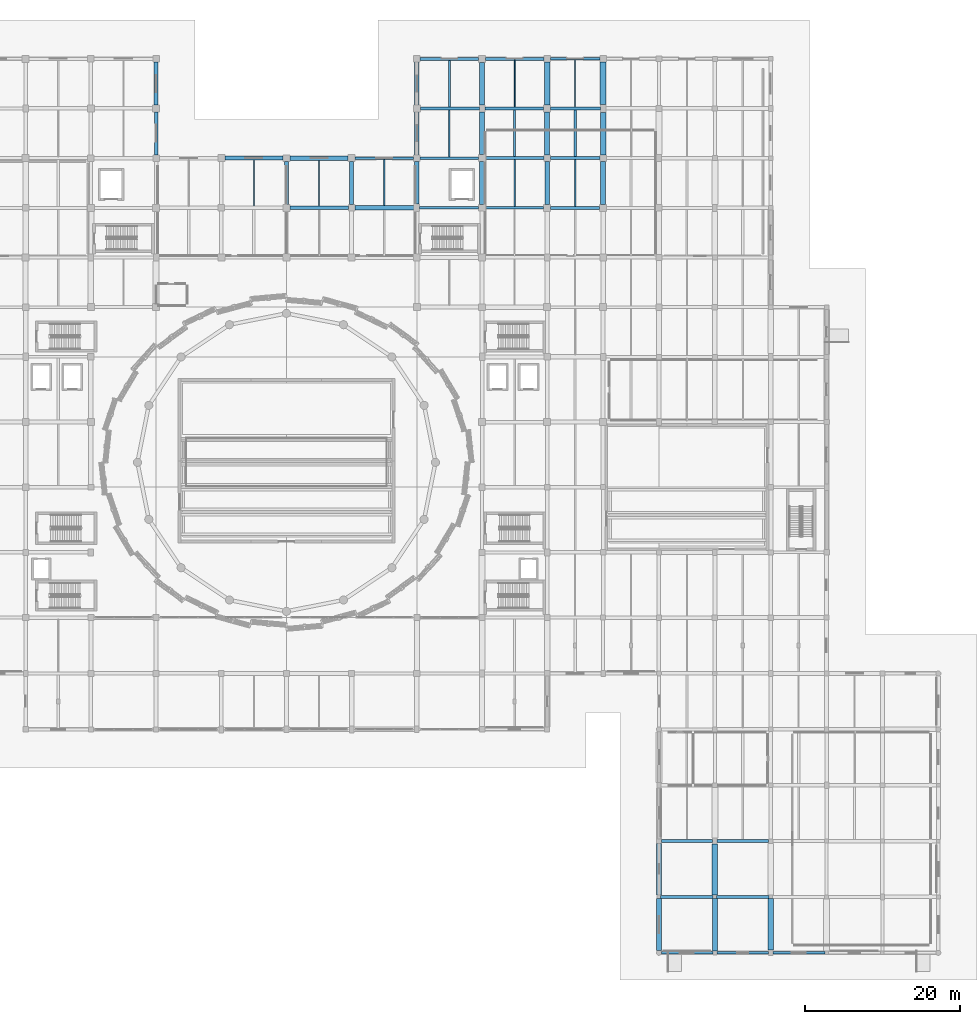
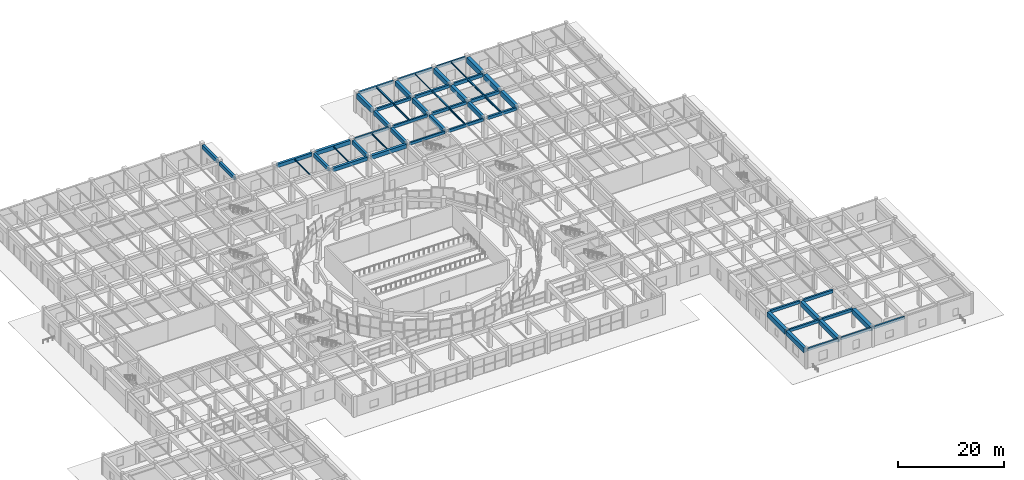
# One storey, part 35 of 72: 56 beams.
"""IFC4 building model written with IfcOpenShell, lengths in metres."""

from ifc_helpers import new_model, si_unit, direction, frame, origin, origin_2d, place, context, subcontext, project, spatial, rectangle, i_section, extrude, material, material_profile, profile_set, type_object, element, save


model = new_model("IFC4")

# Units and contexts
model_context = context("Model", 3, precision=1e-05, world=origin(), true_north=direction((0.0, 1.0)))
body_context = subcontext(model_context, "Body", "Model", "MODEL_VIEW")
ifc_project = project(units=[si_unit("LENGTHUNIT", "METRE"), si_unit("AREAUNIT", "SQUARE_METRE"), si_unit("VOLUMEUNIT", "CUBIC_METRE"), si_unit("PLANEANGLEUNIT", "RADIAN"), si_unit("MASSUNIT", "GRAM", prefix="KILO")], contexts=[model_context])

# Site, building, storey
site_placement = place(None, origin())
site = spatial("IfcSite", under=ifc_project, at=site_placement, CompositionType="ELEMENT")
building_placement = place(site_placement, origin())
building = spatial("IfcBuilding", under=site, at=building_placement, Name="Korsvaeld Concert Hall", CompositionType="ELEMENT")
storey_placement = place(building_placement, origin())
storey = spatial("IfcBuildingStorey", under=building, at=storey_placement, Name="L00", CompositionType="ELEMENT", Elevation=0.0)

# Beams
ifc_material_1 = material(Name="Concrete C35/45", Category="concrete")
ifc_material_profile_1 = material_profile(ifc_material_1, rectangle(XDim=0.35009765625, YDim=0.60009765625, at=origin_2d()), Name="RC 350x600")
ifc_profile_set_1 = profile_set([ifc_material_profile_1], Name="Concrete C35/45")
beam_type_1 = type_object("IfcBeamType", Name="BM-RC-350x600", PredefinedType="T_BEAM", material=ifc_profile_set_1)
beam_1_placement = place(storey_placement, frame((101.14990234375, 96.0, 4.139892578125), z_axis=(1.0, 0.0, 0.0), x_axis=(0.0, 1.0, 0.0)))
element("IfcBeam", 1, at=beam_1_placement, inside=storey, type_object=beam_type_1, Name="Primary girder 14-15/P L00", PredefinedType="T_BEAM", context=body_context, shape_type="SweptSolid", body=[
    extrude(rectangle(XDim=0.35009765625, YDim=0.60009765625, at=origin_2d()), origin(), (0.0, 0.0, 1.0), 7.625),
])
beam_2_placement = place(storey_placement, frame((92.85009765625, 102.39990234375, 4.139892578125), z_axis=(1.0, 0.0, 0.0), x_axis=(0.0, 1.0, 0.0)))
element("IfcBeam", 2, at=beam_2_placement, inside=storey, type_object=beam_type_1, Name="Primary girder 13-14/Q L00", PredefinedType="T_BEAM", context=body_context, shape_type="SweptSolid", body=[
    extrude(rectangle(XDim=0.35009765625, YDim=0.60009765625, at=origin_2d()), origin(), (0.0, 0.0, 1.0), 7.52490234375),
])
ifc_material_profile_2 = material_profile(ifc_material_1, rectangle(XDim=0.35009765625, YDim=0.64990234375, at=origin_2d()), Name="RC 350x650")
ifc_profile_set_2 = profile_set([ifc_material_profile_2], Name="Concrete C35/45")
beam_type_2 = type_object("IfcBeamType", Name="BM-RC-350x650", PredefinedType="T_BEAM", material=ifc_profile_set_2)
beam_3_placement = place(storey_placement, frame((132.22509765625, 7.199951171875, 4.114990234375), z_axis=(1.0, 0.0, 0.0), x_axis=(0.0, 1.0, 0.0)))
element("IfcBeam", 3, at=beam_3_placement, inside=storey, type_object=beam_type_2, Name="Primary girder 18-19/B L00", PredefinedType="T_BEAM", context=body_context, shape_type="SweptSolid", body=[
    extrude(rectangle(XDim=0.35009765625, YDim=0.64990234375, at=origin_2d()), origin(), (0.0, 0.0, 1.0), 6.75),
])
for number, where, z_axis, x_axis, name in (
    (4, (109.625, 96.0, 4.114990234375), (1.0, 0.0, 0.0), (0.0, 1.0, 0.0), "Primary girder 15-16/P L00"),
    (5, (101.22509765625, 102.39990234375, 4.114990234375), (1.0, 0.0, 0.0), (0.0, 1.0, 0.0), "Primary girder 14-15/Q L00"),
):
    element("IfcBeam", number, at=place(storey_placement, frame(where, z_axis=z_axis, x_axis=x_axis)), inside=storey, type_object=beam_type_2, Name=name, PredefinedType="T_BEAM", context=body_context, shape_type="SweptSolid", body=[
        extrude(rectangle(XDim=0.35009765625, YDim=0.64990234375, at=origin_2d()), origin(), (0.0, 0.0, 1.0), 7.52490234375),
    ])
ifc_material_profile_3 = material_profile(ifc_material_1, rectangle(XDim=0.39990234375, YDim=0.64990234375, at=origin_2d()), Name="RC 400x650")
ifc_profile_set_3 = profile_set([ifc_material_profile_3], Name="Concrete C35/45")
beam_type_3 = type_object("IfcBeamType", Name="BM-RC-400x650", PredefinedType="T_BEAM", material=ifc_profile_set_3)
beam_4_placement = place(storey_placement, frame((139.425048828125, 7.199951171875, 4.114990234375), z_axis=(1.0, 0.0, 0.0), x_axis=(0.0, 1.0, 0.0)))
element("IfcBeam", 6, at=beam_4_placement, inside=storey, type_object=beam_type_3, Name="Primary girder 19-20/B L00", PredefinedType="T_BEAM", context=body_context, shape_type="SweptSolid", body=[
    extrude(rectangle(XDim=0.39990234375, YDim=0.64990234375, at=origin_2d()), origin(), (0.0, 0.0, 1.0), 6.75),
])
beam_5_placement = place(storey_placement, frame((132.300048828125, 14.39990234375, 4.114990234375), z_axis=(1.0, 0.0, 0.0), x_axis=(0.0, 1.0, 0.0)))
element("IfcBeam", 7, at=beam_5_placement, inside=storey, type_object=beam_type_3, Name="Primary girder 18-19/C L00", PredefinedType="T_BEAM", context=body_context, shape_type="SweptSolid", body=[
    extrude(rectangle(XDim=0.39990234375, YDim=0.64990234375, at=origin_2d()), origin(), (0.0, 0.0, 1.0), 6.599853515625),
])
beam_6_placement = place(storey_placement, frame((118.050048828125, 96.0, 4.114990234375), z_axis=(1.0, 0.0, 0.0), x_axis=(0.0, 1.0, 0.0)))
element("IfcBeam", 8, at=beam_6_placement, inside=storey, type_object=beam_type_3, Name="Primary girder 16-17/P L00", PredefinedType="T_BEAM", context=body_context, shape_type="SweptSolid", body=[
    extrude(rectangle(XDim=0.39990234375, YDim=0.64990234375, at=origin_2d()), origin(), (0.0, 0.0, 1.0), 6.300048828125),
])
beam_7_placement = place(storey_placement, frame((109.64990234375, 102.39990234375, 4.114990234375), z_axis=(1.0, 0.0, 0.0), x_axis=(0.0, 1.0, 0.0)))
element("IfcBeam", 9, at=beam_7_placement, inside=storey, type_object=beam_type_3, Name="Primary girder 15-16/Q L00", PredefinedType="T_BEAM", context=body_context, shape_type="SweptSolid", body=[
    extrude(rectangle(XDim=0.39990234375, YDim=0.64990234375, at=origin_2d()), origin(), (0.0, 0.0, 1.0), 7.525146484375),
])
beam_8_placement = place(storey_placement, frame((101.25, 108.800048828125, 4.114990234375), z_axis=(1.0, 0.0, 0.0), x_axis=(0.0, 1.0, 0.0)))
element("IfcBeam", 10, at=beam_8_placement, inside=storey, type_object=beam_type_3, Name="Primary girder 14-15/R L00", PredefinedType="T_BEAM", context=body_context, shape_type="SweptSolid", body=[
    extrude(rectangle(XDim=0.39990234375, YDim=0.64990234375, at=origin_2d()), origin(), (0.0, 0.0, 1.0), 7.60009765625),
])
ifc_material_profile_4 = material_profile(ifc_material_1, rectangle(XDim=0.39990234375, YDim=0.699951171875, at=origin_2d()), Name="RC 400x700")
ifc_profile_set_4 = profile_set([ifc_material_profile_4], Name="Concrete C35/45")
beam_type_4 = type_object("IfcBeamType", Name="BM-RC-400x700", PredefinedType="T_BEAM", material=ifc_profile_set_4)
beam_9_placement = place(storey_placement, frame((139.5, 14.39990234375, 4.090087890625), z_axis=(1.0, 0.0, 0.0), x_axis=(0.0, 1.0, 0.0)))
element("IfcBeam", 11, at=beam_9_placement, inside=storey, type_object=beam_type_4, Name="Primary girder 19-20/C L00", PredefinedType="T_BEAM", context=body_context, shape_type="SweptSolid", body=[
    extrude(rectangle(XDim=0.39990234375, YDim=0.699951171875, at=origin_2d()), origin(), (0.0, 0.0, 1.0), 6.60009765625),
])
beam_10_placement = place(storey_placement, frame((118.02490234375, 102.39990234375, 4.090087890625), z_axis=(1.0, 0.0, 0.0), x_axis=(0.0, 1.0, 0.0)))
element("IfcBeam", 12, at=beam_10_placement, inside=storey, type_object=beam_type_4, Name="Primary girder 16-17/Q L00", PredefinedType="T_BEAM", context=body_context, shape_type="SweptSolid", body=[
    extrude(rectangle(XDim=0.39990234375, YDim=0.699951171875, at=origin_2d()), origin(), (0.0, 0.0, 1.0), 6.35009765625),
])
beam_11_placement = place(storey_placement, frame((109.550048828125, 108.800048828125, 4.090087890625), z_axis=(1.0, 0.0, 0.0), x_axis=(0.0, 1.0, 0.0)))
element("IfcBeam", 13, at=beam_11_placement, inside=storey, type_object=beam_type_4, Name="Primary girder 15-16/R L00", PredefinedType="T_BEAM", context=body_context, shape_type="SweptSolid", body=[
    extrude(rectangle(XDim=0.39990234375, YDim=0.699951171875, at=origin_2d()), origin(), (0.0, 0.0, 1.0), 7.599853515625),
])
ifc_material_profile_5 = material_profile(ifc_material_1, rectangle(XDim=0.39990234375, YDim=0.75, at=origin_2d()), Name="RC 400x750")
ifc_profile_set_5 = profile_set([ifc_material_profile_5], Name="Concrete C35/45")
beam_type_5 = type_object("IfcBeamType", Name="BM-RC-400x750", PredefinedType="T_BEAM", material=ifc_profile_set_5)
beam_12_placement = place(storey_placement, frame((118.050048828125, 108.800048828125, 4.06494140625), z_axis=(1.0, 0.0, 0.0), x_axis=(0.0, 1.0, 0.0)))
element("IfcBeam", 14, at=beam_12_placement, inside=storey, type_object=beam_type_5, Name="Primary girder 16-17/R L00", PredefinedType="T_BEAM", context=body_context, shape_type="SweptSolid", body=[
    extrude(rectangle(XDim=0.39990234375, YDim=0.75, at=origin_2d()), origin(), (0.0, 0.0, 1.0), 6.39990234375),
])
ifc_material_2 = material(Name="Concrete C40/50", Category="concrete")
ifc_material_profile_6 = material_profile(ifc_material_2, rectangle(XDim=0.449951171875, YDim=0.85009765625, at=origin_2d()), Name="RC 450x850")
ifc_profile_set_6 = profile_set([ifc_material_profile_6], Name="Concrete C40/50")
beam_type_6 = type_object("IfcBeamType", Name="BM-RC-450x850", PredefinedType="T_BEAM", material=ifc_profile_set_6)
beam_13_placement = place(storey_placement, frame((67.199951171875, 102.824951171875, 4.014892578125), z_axis=(0.0, 1.0, 0.0), x_axis=(-1.0, 0.0, 0.0)))
element("IfcBeam", 15, at=beam_13_placement, inside=storey, type_object=beam_type_6, Name="Primary girder 10/Q-R L00", PredefinedType="T_BEAM", context=body_context, shape_type="SweptSolid", body=[
    extrude(rectangle(XDim=0.449951171875, YDim=0.85009765625, at=origin_2d()), origin(), (0.0, 0.0, 1.0), 5.525146484375),
])
ifc_material_profile_7 = material_profile(ifc_material_2, rectangle(XDim=0.5, YDim=0.800048828125, at=origin_2d()), Name="RC 500x800")
ifc_profile_set_7 = profile_set([ifc_material_profile_7], Name="Concrete C40/50")
beam_type_7 = type_object("IfcBeamType", Name="BM-RC-500x800", PredefinedType="T_BEAM", material=ifc_profile_set_7)
beam_14_placement = place(storey_placement, frame((84.449951171875, 96.0, 4.0400390625), z_axis=(1.0, 0.0, 0.0), x_axis=(0.0, 1.0, 0.0)))
element("IfcBeam", 16, at=beam_14_placement, inside=storey, type_object=beam_type_7, Name="Primary girder 12-13/P L00", PredefinedType="T_BEAM", context=body_context, shape_type="SweptSolid", body=[
    extrude(rectangle(XDim=0.5, YDim=0.800048828125, at=origin_2d()), origin(), (0.0, 0.0, 1.0), 7.525146484375),
])
beam_15_placement = place(storey_placement, frame((76.050048828125, 102.39990234375, 4.0400390625), z_axis=(1.0, 0.0, 0.0), x_axis=(0.0, 1.0, 0.0)))
element("IfcBeam", 17, at=beam_15_placement, inside=storey, type_object=beam_type_7, Name="Primary girder 11-12/Q L00", PredefinedType="T_BEAM", context=body_context, shape_type="SweptSolid", body=[
    extrude(rectangle(XDim=0.5, YDim=0.800048828125, at=origin_2d()), origin(), (0.0, 0.0, 1.0), 7.52490234375),
])
ifc_material_profile_8 = material_profile(ifc_material_2, rectangle(XDim=0.5, YDim=0.85009765625, at=origin_2d()), Name="RC 500x850")
ifc_profile_set_8 = profile_set([ifc_material_profile_8], Name="Concrete C40/50")
beam_type_8 = type_object("IfcBeamType", Name="BM-RC-500x850", PredefinedType="T_BEAM", material=ifc_profile_set_8)
beam_16_placement = place(storey_placement, frame((67.199951171875, 109.25, 4.014892578125), z_axis=(0.0, 1.0, 0.0), x_axis=(-1.0, 0.0, 0.0)))
element("IfcBeam", 18, at=beam_16_placement, inside=storey, type_object=beam_type_8, Name="Primary girder 10/R-S L00", PredefinedType="T_BEAM", context=body_context, shape_type="SweptSolid", body=[
    extrude(rectangle(XDim=0.5, YDim=0.85009765625, at=origin_2d()), origin(), (0.0, 0.0, 1.0), 5.52490234375),
])
beam_17_placement = place(storey_placement, frame((84.0, 96.449951171875, 4.014892578125), z_axis=(0.0, 1.0, 0.0), x_axis=(-1.0, 0.0, 0.0)))
element("IfcBeam", 19, at=beam_17_placement, inside=storey, type_object=beam_type_8, Name="Primary girder 12/P-Q L00", PredefinedType="T_BEAM", context=body_context, shape_type="SweptSolid", body=[
    extrude(rectangle(XDim=0.5, YDim=0.85009765625, at=origin_2d()), origin(), (0.0, 0.0, 1.0), 5.525146484375),
])
ifc_material_profile_9 = material_profile(ifc_material_2, rectangle(XDim=0.5, YDim=0.89990234375, at=origin_2d()), Name="RC 500x900")
ifc_profile_set_9 = profile_set([ifc_material_profile_9], Name="Concrete C40/50")
beam_type_9 = type_object("IfcBeamType", Name="BM-RC-500x900", PredefinedType="T_BEAM", material=ifc_profile_set_9)
beam_18_placement = place(storey_placement, frame((92.39990234375, 96.425048828125, 3.989990234375), z_axis=(0.0, 1.0, 0.0), x_axis=(-1.0, 0.0, 0.0)))
element("IfcBeam", 20, at=beam_18_placement, inside=storey, type_object=beam_type_9, Name="Primary girder 13/P-Q L00", PredefinedType="T_BEAM", context=body_context, shape_type="SweptSolid", body=[
    extrude(rectangle(XDim=0.5, YDim=0.89990234375, at=origin_2d()), origin(), (0.0, 0.0, 1.0), 5.52490234375),
])
ifc_material_profile_10 = material_profile(ifc_material_2, rectangle(XDim=0.550048828125, YDim=0.89990234375, at=origin_2d()), Name="RC 550x900")
ifc_profile_set_10 = profile_set([ifc_material_profile_10], Name="Concrete C40/50")
beam_type_10 = type_object("IfcBeamType", Name="BM-RC-550x900", PredefinedType="T_BEAM", material=ifc_profile_set_10)
beam_19_placement = place(storey_placement, frame((92.824951171875, 96.0, 3.989990234375), z_axis=(1.0, 0.0, 0.0), x_axis=(0.0, 1.0, 0.0)))
element("IfcBeam", 21, at=beam_19_placement, inside=storey, type_object=beam_type_10, Name="Primary girder 13-14/P L00", PredefinedType="T_BEAM", context=body_context, shape_type="SweptSolid", body=[
    extrude(rectangle(XDim=0.550048828125, YDim=0.89990234375, at=origin_2d()), origin(), (0.0, 0.0, 1.0), 7.625),
])
beam_20_placement = place(storey_placement, frame((84.425048828125, 102.39990234375, 3.989990234375), z_axis=(1.0, 0.0, 0.0), x_axis=(0.0, 1.0, 0.0)))
element("IfcBeam", 22, at=beam_20_placement, inside=storey, type_object=beam_type_10, Name="Primary girder 12-13/Q L00", PredefinedType="T_BEAM", context=body_context, shape_type="SweptSolid", body=[
    extrude(rectangle(XDim=0.550048828125, YDim=0.89990234375, at=origin_2d()), origin(), (0.0, 0.0, 1.0), 7.52490234375),
])
ifc_material_profile_11 = material_profile(ifc_material_2, rectangle(XDim=0.550048828125, YDim=0.949951171875, at=origin_2d()), Name="RC 550x950")
ifc_profile_set_11 = profile_set([ifc_material_profile_11], Name="Concrete C40/50")
beam_type_11 = type_object("IfcBeamType", Name="BM-RC-550x950", PredefinedType="T_BEAM", material=ifc_profile_set_11)
beam_21_placement = place(storey_placement, frame((100.800048828125, 96.5, 3.965087890625), z_axis=(0.0, 1.0, 0.0), x_axis=(-1.0, 0.0, 0.0)))
element("IfcBeam", 23, at=beam_21_placement, inside=storey, type_object=beam_type_11, Name="Primary girder 14/P-Q L00", PredefinedType="T_BEAM", context=body_context, shape_type="SweptSolid", body=[
    extrude(rectangle(XDim=0.550048828125, YDim=0.949951171875, at=origin_2d()), origin(), (0.0, 0.0, 1.0), 5.47509765625),
])
ifc_material_profile_12 = material_profile(ifc_material_2, rectangle(XDim=0.60009765625, YDim=1.050048828125, at=origin_2d()), Name="RC 600x1050")
ifc_profile_set_12 = profile_set([ifc_material_profile_12], Name="Concrete C40/50")
beam_type_12 = type_object("IfcBeamType", Name="BM-RC-600x1050", PredefinedType="T_BEAM", material=ifc_profile_set_12)
beam_22_placement = place(storey_placement, frame((100.800048828125, 109.25, 3.9150390625), z_axis=(0.0, 1.0, 0.0), x_axis=(-1.0, 0.0, 0.0)))
element("IfcBeam", 24, at=beam_22_placement, inside=storey, type_object=beam_type_12, Name="Primary girder 14/R-S L00", PredefinedType="T_BEAM", context=body_context, shape_type="SweptSolid", body=[
    extrude(rectangle(XDim=0.60009765625, YDim=1.050048828125, at=origin_2d()), origin(), (0.0, 0.0, 1.0), 5.52490234375),
])
beam_23_placement = place(storey_placement, frame((109.199951171875, 102.85009765625, 3.9150390625), z_axis=(0.0, 1.0, 0.0), x_axis=(-1.0, 0.0, 0.0)))
element("IfcBeam", 25, at=beam_23_placement, inside=storey, type_object=beam_type_12, Name="Primary girder 15/Q-R L00", PredefinedType="T_BEAM", context=body_context, shape_type="SweptSolid", body=[
    extrude(rectangle(XDim=0.60009765625, YDim=1.050048828125, at=origin_2d()), origin(), (0.0, 0.0, 1.0), 5.5),
])
beam_24_placement = place(storey_placement, frame((117.60009765625, 96.449951171875, 3.9150390625), z_axis=(0.0, 1.0, 0.0), x_axis=(-1.0, 0.0, 0.0)))
element("IfcBeam", 26, at=beam_24_placement, inside=storey, type_object=beam_type_12, Name="Primary girder 16/P-Q L00", PredefinedType="T_BEAM", context=body_context, shape_type="SweptSolid", body=[
    extrude(rectangle(XDim=0.60009765625, YDim=1.050048828125, at=origin_2d()), origin(), (0.0, 0.0, 1.0), 5.525146484375),
])
beam_25_placement = place(storey_placement, frame((132.0, 0.324951171875, 3.9150390625), z_axis=(0.0, 1.0, 0.0), x_axis=(-1.0, 0.0, 0.0)))
element("IfcBeam", 27, at=beam_25_placement, inside=storey, type_object=beam_type_12, Name="Primary girder 18/A-B L00", PredefinedType="T_BEAM", context=body_context, shape_type="SweptSolid", body=[
    extrude(rectangle(XDim=0.60009765625, YDim=1.050048828125, at=origin_2d()), origin(), (0.0, 0.0, 1.0), 6.650146484375),
])
ifc_material_profile_13 = material_profile(ifc_material_2, rectangle(XDim=0.60009765625, YDim=0.949951171875, at=origin_2d()), Name="RC 600x950")
ifc_profile_set_13 = profile_set([ifc_material_profile_13], Name="Concrete C40/50")
beam_type_13 = type_object("IfcBeamType", Name="BM-RC-600x950", PredefinedType="T_BEAM", material=ifc_profile_set_13)
beam_26_placement = place(storey_placement, frame((100.800048828125, 102.824951171875, 3.965087890625), z_axis=(0.0, 1.0, 0.0), x_axis=(-1.0, 0.0, 0.0)))
element("IfcBeam", 28, at=beam_26_placement, inside=storey, type_object=beam_type_13, Name="Primary girder 14/Q-R L00", PredefinedType="T_BEAM", context=body_context, shape_type="SweptSolid", body=[
    extrude(rectangle(XDim=0.60009765625, YDim=0.949951171875, at=origin_2d()), origin(), (0.0, 0.0, 1.0), 5.525146484375),
])
beam_27_placement = place(storey_placement, frame((109.199951171875, 96.425048828125, 3.965087890625), z_axis=(0.0, 1.0, 0.0), x_axis=(-1.0, 0.0, 0.0)))
element("IfcBeam", 29, at=beam_27_placement, inside=storey, type_object=beam_type_13, Name="Primary girder 15/P-Q L00", PredefinedType="T_BEAM", context=body_context, shape_type="SweptSolid", body=[
    extrude(rectangle(XDim=0.60009765625, YDim=0.949951171875, at=origin_2d()), origin(), (0.0, 0.0, 1.0), 5.52490234375),
])
ifc_material_profile_14 = material_profile(ifc_material_2, rectangle(XDim=0.64990234375, YDim=1.10009765625, at=origin_2d()), Name="RC 650x1100")
ifc_profile_set_14 = profile_set([ifc_material_profile_14], Name="Concrete C40/50")
beam_type_14 = type_object("IfcBeamType", Name="BM-RC-650x1100", PredefinedType="T_BEAM", material=ifc_profile_set_14)
beam_28_placement = place(storey_placement, frame((109.199951171875, 109.25, 3.889892578125), z_axis=(0.0, 1.0, 0.0), x_axis=(-1.0, 0.0, 0.0)))
element("IfcBeam", 30, at=beam_28_placement, inside=storey, type_object=beam_type_14, Name="Primary girder 15/R-S L00", PredefinedType="T_BEAM", context=body_context, shape_type="SweptSolid", body=[
    extrude(rectangle(XDim=0.64990234375, YDim=1.10009765625, at=origin_2d()), origin(), (0.0, 0.0, 1.0), 5.5),
])
for number, where, z_axis, x_axis, name in (
    (31, (117.60009765625, 102.824951171875, 3.889892578125), (0.0, 1.0, 0.0), (-1.0, 0.0, 0.0), "Primary girder 16/Q-R L00"),
    (32, (124.800048828125, 96.449951171875, 3.889892578125), (0.0, 1.0, 0.0), (-1.0, 0.0, 0.0), "Primary girder 17/P-Q L00"),
):
    element("IfcBeam", number, at=place(storey_placement, frame(where, z_axis=z_axis, x_axis=x_axis)), inside=storey, type_object=beam_type_14, Name=name, PredefinedType="T_BEAM", context=body_context, shape_type="SweptSolid", body=[
        extrude(rectangle(XDim=0.64990234375, YDim=1.10009765625, at=origin_2d()), origin(), (0.0, 0.0, 1.0), 5.525146484375),
    ])
beam_29_placement = place(storey_placement, frame((132.0, 7.425048828125, 3.889892578125), z_axis=(0.0, 1.0, 0.0), x_axis=(-1.0, 0.0, 0.0)))
element("IfcBeam", 33, at=beam_29_placement, inside=storey, type_object=beam_type_14, Name="Primary girder 18/B-C L00", PredefinedType="T_BEAM", context=body_context, shape_type="SweptSolid", body=[
    extrude(rectangle(XDim=0.64990234375, YDim=1.10009765625, at=origin_2d()), origin(), (0.0, 0.0, 1.0), 6.675048828125),
])
beam_30_placement = place(storey_placement, frame((139.199951171875, 0.25, 3.889892578125), z_axis=(0.0, 1.0, 0.0), x_axis=(-1.0, 0.0, 0.0)))
element("IfcBeam", 34, at=beam_30_placement, inside=storey, type_object=beam_type_14, Name="Primary girder 19/A-B L00", PredefinedType="T_BEAM", context=body_context, shape_type="SweptSolid", body=[
    extrude(rectangle(XDim=0.64990234375, YDim=1.10009765625, at=origin_2d()), origin(), (0.0, 0.0, 1.0), 6.72509765625),
])
ifc_material_profile_15 = material_profile(ifc_material_2, rectangle(XDim=0.699951171875, YDim=1.14990234375, at=origin_2d()), Name="RC 700x1150")
ifc_profile_set_15 = profile_set([ifc_material_profile_15], Name="Concrete C40/50")
beam_type_15 = type_object("IfcBeamType", Name="BM-RC-700x1150", PredefinedType="T_BEAM", material=ifc_profile_set_15)
beam_31_placement = place(storey_placement, frame((117.60009765625, 109.25, 3.864990234375), z_axis=(0.0, 1.0, 0.0), x_axis=(-1.0, 0.0, 0.0)))
element("IfcBeam", 35, at=beam_31_placement, inside=storey, type_object=beam_type_15, Name="Primary girder 16/R-S L00", PredefinedType="T_BEAM", context=body_context, shape_type="SweptSolid", body=[
    extrude(rectangle(XDim=0.699951171875, YDim=1.14990234375, at=origin_2d()), origin(), (0.0, 0.0, 1.0), 5.52490234375),
])
beam_32_placement = place(storey_placement, frame((124.800048828125, 102.824951171875, 3.864990234375), z_axis=(0.0, 1.0, 0.0), x_axis=(-1.0, 0.0, 0.0)))
element("IfcBeam", 36, at=beam_32_placement, inside=storey, type_object=beam_type_15, Name="Primary girder 17/Q-R L00", PredefinedType="T_BEAM", context=body_context, shape_type="SweptSolid", body=[
    extrude(rectangle(XDim=0.699951171875, YDim=1.14990234375, at=origin_2d()), origin(), (0.0, 0.0, 1.0), 5.47509765625),
])
beam_33_placement = place(storey_placement, frame((139.199951171875, 7.425048828125, 3.864990234375), z_axis=(0.0, 1.0, 0.0), x_axis=(-1.0, 0.0, 0.0)))
element("IfcBeam", 37, at=beam_33_placement, inside=storey, type_object=beam_type_15, Name="Primary girder 19/B-C L00", PredefinedType="T_BEAM", context=body_context, shape_type="SweptSolid", body=[
    extrude(rectangle(XDim=0.699951171875, YDim=1.14990234375, at=origin_2d()), origin(), (0.0, 0.0, 1.0), 6.574951171875),
])
beam_34_placement = place(storey_placement, frame((146.39990234375, 0.375, 3.864990234375), z_axis=(0.0, 1.0, 0.0), x_axis=(-1.0, 0.0, 0.0)))
element("IfcBeam", 38, at=beam_34_placement, inside=storey, type_object=beam_type_15, Name="Primary girder 20/A-B L00", PredefinedType="T_BEAM", context=body_context, shape_type="SweptSolid", body=[
    extrude(rectangle(XDim=0.699951171875, YDim=1.14990234375, at=origin_2d()), origin(), (0.0, 0.0, 1.0), 6.60009765625),
])
ifc_material_profile_16 = material_profile(ifc_material_2, rectangle(XDim=0.75, YDim=1.199951171875, at=origin_2d()), Name="RC 750x1200")
ifc_profile_set_16 = profile_set([ifc_material_profile_16], Name="Concrete C40/50")
beam_type_16 = type_object("IfcBeamType", Name="BM-RC-750x1200", PredefinedType="T_BEAM", material=ifc_profile_set_16)
beam_35_placement = place(storey_placement, frame((124.800048828125, 109.300048828125, 3.840087890625), z_axis=(0.0, 1.0, 0.0), x_axis=(-1.0, 0.0, 0.0)))
element("IfcBeam", 39, at=beam_35_placement, inside=storey, type_object=beam_type_16, Name="Primary girder 17/R-S L00", PredefinedType="T_BEAM", context=body_context, shape_type="SweptSolid", body=[
    extrude(rectangle(XDim=0.75, YDim=1.199951171875, at=origin_2d()), origin(), (0.0, 0.0, 1.0), 5.474853515625),
])
ifc_material_profile_17 = material_profile(ifc_material_1, rectangle(XDim=0.35009765625, YDim=0.550048828125, at=origin_2d()), Name="RC 350x550")
ifc_profile_set_17 = profile_set([ifc_material_profile_17], Name="Concrete C35/45")
beam_type_17 = type_object("IfcBeamType", Name="BM-SP-350x550", PredefinedType="SPANDREL", material=ifc_profile_set_17)
beam_36_placement = place(storey_placement, frame((132.324951171875, 0.0, 4.1650390625), z_axis=(1.0, 0.0, 0.0), x_axis=(0.0, 1.0, 0.0)))
element("IfcBeam", 40, at=beam_36_placement, inside=storey, type_object=beam_type_17, Name="Primary girder 18-19/A L00", PredefinedType="SPANDREL", context=body_context, shape_type="SweptSolid", body=[
    extrude(rectangle(XDim=0.35009765625, YDim=0.550048828125, at=origin_2d()), origin(), (0.0, 0.0, 1.0), 6.625),
])
beam_37_placement = place(storey_placement, frame((139.449951171875, 0.0, 4.1650390625), z_axis=(1.0, 0.0, 0.0), x_axis=(0.0, 1.0, 0.0)))
element("IfcBeam", 41, at=beam_37_placement, inside=storey, type_object=beam_type_17, Name="Primary girder 19-20/A L00", PredefinedType="SPANDREL", context=body_context, shape_type="SweptSolid", body=[
    extrude(rectangle(XDim=0.35009765625, YDim=0.550048828125, at=origin_2d()), origin(), (0.0, 0.0, 1.0), 6.675048828125),
])
beam_38_placement = place(storey_placement, frame((146.675048828125, 0.0, 4.1650390625), z_axis=(1.0, 0.0, 0.0), x_axis=(0.0, 1.0, 0.0)))
element("IfcBeam", 42, at=beam_38_placement, inside=storey, type_object=beam_type_17, Name="Primary girder 20-21/A L00", PredefinedType="SPANDREL", context=body_context, shape_type="SweptSolid", body=[
    extrude(rectangle(XDim=0.35009765625, YDim=0.550048828125, at=origin_2d()), origin(), (0.0, 0.0, 1.0), 6.699951171875),
])
beam_39_placement = place(storey_placement, frame((118.02490234375, 115.199951171875, 4.1650390625), z_axis=(1.0, 0.0, 0.0), x_axis=(0.0, 1.0, 0.0)))
element("IfcBeam", 43, at=beam_39_placement, inside=storey, type_object=beam_type_17, Name="Primary girder 16-17/S L00", PredefinedType="SPANDREL", context=body_context, shape_type="SweptSolid", body=[
    extrude(rectangle(XDim=0.35009765625, YDim=0.550048828125, at=origin_2d()), origin(), (0.0, 0.0, 1.0), 6.35009765625),
])
ifc_material_profile_18 = material_profile(ifc_material_1, rectangle(XDim=0.39990234375, YDim=0.60009765625, at=origin_2d()), Name="RC 400x600")
ifc_profile_set_18 = profile_set([ifc_material_profile_18], Name="Concrete C35/45")
beam_type_18 = type_object("IfcBeamType", Name="BM-SP-400x600", PredefinedType="SPANDREL", material=ifc_profile_set_18)
beam_40_placement = place(storey_placement, frame((101.22509765625, 115.199951171875, 4.139892578125), z_axis=(1.0, 0.0, 0.0), x_axis=(0.0, 1.0, 0.0)))
element("IfcBeam", 44, at=beam_40_placement, inside=storey, type_object=beam_type_18, Name="Primary girder 14-15/S L00", PredefinedType="SPANDREL", context=body_context, shape_type="SweptSolid", body=[
    extrude(rectangle(XDim=0.39990234375, YDim=0.60009765625, at=origin_2d()), origin(), (0.0, 0.0, 1.0), 7.52490234375),
])
beam_41_placement = place(storey_placement, frame((109.64990234375, 115.199951171875, 4.139892578125), z_axis=(1.0, 0.0, 0.0), x_axis=(0.0, 1.0, 0.0)))
element("IfcBeam", 45, at=beam_41_placement, inside=storey, type_object=beam_type_18, Name="Primary girder 15-16/S L00", PredefinedType="SPANDREL", context=body_context, shape_type="SweptSolid", body=[
    extrude(rectangle(XDim=0.39990234375, YDim=0.60009765625, at=origin_2d()), origin(), (0.0, 0.0, 1.0), 7.525146484375),
])
ifc_material_3 = material(Name="Steel S355J2", Category="steel")
ifc_material_profile_19 = material_profile(ifc_material_3, i_section(OverallWidth=0.280029296875, OverallDepth=0.27001953125, WebThickness=0.008056640625, FlangeThickness=0.012939453125, FilletRadius=0.02392578125, at=origin_2d()), Name="HEA 280")
ifc_profile_set_19 = profile_set([ifc_material_profile_19], Name="Steel S355J2")
beam_type_19 = type_object("IfcBeamType", Name="BM-STL-HEA280", PredefinedType="BEAM", material=ifc_profile_set_19)
beam_42_placement = place(storey_placement, frame((113.39990234375, 102.60009765625, 4.304931640625), z_axis=(0.0, 1.0, 0.0), x_axis=(-1.0, 0.0, 0.0)))
element("IfcBeam", 46, at=beam_42_placement, inside=storey, type_object=beam_type_19, Name="Secondary steel floor beam 15-16/Q L00", PredefinedType="BEAM", context=body_context, shape_type="SweptSolid", body=[
    extrude(i_section(OverallWidth=0.280029296875, OverallDepth=0.27001953125, WebThickness=0.008056640625, FlangeThickness=0.012939453125, FilletRadius=0.02392578125, at=origin_2d()), origin(), (0.0, 0.0, 1.0), 6.0),
])
ifc_material_profile_20 = material_profile(ifc_material_3, i_section(OverallWidth=0.300048828125, OverallDepth=0.35009765625, WebThickness=0.010009765625, FlangeThickness=0.017578125, FilletRadius=0.027099609375, at=origin_2d()), Name="HEA 360")
ifc_profile_set_20 = profile_set([ifc_material_profile_20], Name="Steel S355J2")
beam_type_20 = type_object("IfcBeamType", Name="BM-STL-HEA360", PredefinedType="BEAM", material=ifc_profile_set_20)
for number, where, z_axis, x_axis, name in (
    (47, (105.0, 109.0, 4.264892578125), (0.0, 1.0, 0.0), (-1.0, 0.0, 0.0), "Secondary steel floor beam 14-15/R L00"),
    (48, (121.199951171875, 102.60009765625, 4.264892578125), (0.0, 1.0, 0.0), (-1.0, 0.0, 0.0), "Secondary steel floor beam 16-17/Q L00"),
):
    element("IfcBeam", number, at=place(storey_placement, frame(where, z_axis=z_axis, x_axis=x_axis)), inside=storey, type_object=beam_type_20, Name=name, PredefinedType="BEAM", context=body_context, shape_type="SweptSolid", body=[
        extrude(i_section(OverallWidth=0.300048828125, OverallDepth=0.35009765625, WebThickness=0.010009765625, FlangeThickness=0.017578125, FilletRadius=0.027099609375, at=origin_2d()), origin(), (0.0, 0.0, 1.0), 6.0),
    ])
ifc_material_profile_21 = material_profile(ifc_material_3, i_section(OverallWidth=0.1201171875, OverallDepth=0.239990234375, WebThickness=0.006103515625, FlangeThickness=0.009765625, FilletRadius=0.014892578125, at=origin_2d()), Name="IPE 240")
ifc_profile_set_21 = profile_set([ifc_material_profile_21], Name="Steel S355J2")
beam_type_21 = type_object("IfcBeamType", Name="BM-STL-IPE240", PredefinedType="JOIST", material=ifc_profile_set_21)
beam_43_placement = place(storey_placement, frame((113.39990234375, 109.0, 4.320068359375), z_axis=(0.0, 1.0, 0.0), x_axis=(-1.0, 0.0, 0.0)))
element("IfcBeam", 49, at=beam_43_placement, inside=storey, type_object=beam_type_21, Name="Secondary steel floor beam 15-16/R L00", PredefinedType="JOIST", context=body_context, shape_type="SweptSolid", body=[
    extrude(i_section(OverallWidth=0.1201171875, OverallDepth=0.239990234375, WebThickness=0.006103515625, FlangeThickness=0.009765625, FilletRadius=0.014892578125, at=origin_2d()), origin(), (0.0, 0.0, 1.0), 6.0),
])
ifc_material_profile_22 = material_profile(ifc_material_3, i_section(OverallWidth=0.135009765625, OverallDepth=0.27001953125, WebThickness=0.006591796875, FlangeThickness=0.01025390625, FilletRadius=0.014892578125, at=origin_2d()), Name="IPE 270")
ifc_profile_set_22 = profile_set([ifc_material_profile_22], Name="Steel S355J2")
beam_type_22 = type_object("IfcBeamType", Name="BM-STL-IPE270", PredefinedType="JOIST", material=ifc_profile_set_22)
beam_44_placement = place(storey_placement, frame((79.800048828125, 96.22509765625, 4.304931640625), z_axis=(0.0, 1.0, 0.0), x_axis=(-1.0, 0.0, 0.0)))
element("IfcBeam", 50, at=beam_44_placement, inside=storey, type_object=beam_type_22, Name="Secondary steel floor beam 11-12/P L00", PredefinedType="JOIST", context=body_context, shape_type="SweptSolid", body=[
    extrude(i_section(OverallWidth=0.135009765625, OverallDepth=0.27001953125, WebThickness=0.006591796875, FlangeThickness=0.01025390625, FilletRadius=0.014892578125, at=origin_2d()), origin(), (0.0, 0.0, 1.0), 5.9248046875),
])
beam_45_placement = place(storey_placement, frame((121.199951171875, 109.0, 4.304931640625), z_axis=(0.0, 1.0, 0.0), x_axis=(-1.0, 0.0, 0.0)))
element("IfcBeam", 51, at=beam_45_placement, inside=storey, type_object=beam_type_22, Name="Secondary steel floor beam 16-17/R L00", PredefinedType="JOIST", context=body_context, shape_type="SweptSolid", body=[
    extrude(i_section(OverallWidth=0.135009765625, OverallDepth=0.27001953125, WebThickness=0.006591796875, FlangeThickness=0.01025390625, FilletRadius=0.014892578125, at=origin_2d()), origin(), (0.0, 0.0, 1.0), 6.02490234375),
])
ifc_material_profile_23 = material_profile(ifc_material_3, i_section(OverallWidth=0.14990234375, OverallDepth=0.300048828125, WebThickness=0.007080078125, FlangeThickness=0.0107421875, FilletRadius=0.014892578125, at=origin_2d()), Name="IPE 300")
ifc_profile_set_23 = profile_set([ifc_material_profile_23], Name="Steel S355J2")
beam_type_23 = type_object("IfcBeamType", Name="BM-STL-IPE300", PredefinedType="JOIST", material=ifc_profile_set_23)
beam_46_placement = place(storey_placement, frame((88.199951171875, 96.25, 4.2900390625), z_axis=(0.0, 1.0, 0.0), x_axis=(-1.0, 0.0, 0.0)))
element("IfcBeam", 52, at=beam_46_placement, inside=storey, type_object=beam_type_23, Name="Secondary steel floor beam 12-13/P L00", PredefinedType="JOIST", context=body_context, shape_type="SweptSolid", body=[
    extrude(i_section(OverallWidth=0.14990234375, OverallDepth=0.300048828125, WebThickness=0.007080078125, FlangeThickness=0.0107421875, FilletRadius=0.014892578125, at=origin_2d()), origin(), (0.0, 0.0, 1.0), 5.875),
])
ifc_material_profile_24 = material_profile(ifc_material_3, i_section(OverallWidth=0.159912109375, OverallDepth=0.330078125, WebThickness=0.007568359375, FlangeThickness=0.011474609375, FilletRadius=0.01806640625, at=origin_2d()), Name="IPE 330")
ifc_profile_set_24 = profile_set([ifc_material_profile_24], Name="Steel S355J2")
beam_type_24 = type_object("IfcBeamType", Name="BM-STL-IPE330", PredefinedType="BEAM", material=ifc_profile_set_24)
beam_47_placement = place(storey_placement, frame((96.60009765625, 96.27490234375, 4.27490234375), z_axis=(0.0, 1.0, 0.0), x_axis=(-1.0, 0.0, 0.0)))
element("IfcBeam", 53, at=beam_47_placement, inside=storey, type_object=beam_type_24, Name="Secondary steel floor beam 13-14/P L00", PredefinedType="BEAM", context=body_context, shape_type="SweptSolid", body=[
    extrude(i_section(OverallWidth=0.159912109375, OverallDepth=0.330078125, WebThickness=0.007568359375, FlangeThickness=0.011474609375, FilletRadius=0.01806640625, at=origin_2d()), origin(), (0.0, 0.0, 1.0), 5.9501953125),
])
ifc_material_profile_25 = material_profile(ifc_material_3, i_section(OverallWidth=0.179931640625, OverallDepth=0.39990234375, WebThickness=0.008544921875, FlangeThickness=0.013427734375, FilletRadius=0.02099609375, at=origin_2d()), Name="IPE 400")
ifc_profile_set_25 = profile_set([ifc_material_profile_25], Name="Steel S355J2")
beam_type_25 = type_object("IfcBeamType", Name="BM-STL-IPE400", PredefinedType="BEAM", material=ifc_profile_set_25)
beam_48_placement = place(storey_placement, frame((113.39990234375, 96.175048828125, 4.239990234375), z_axis=(0.0, 1.0, 0.0), x_axis=(-1.0, 0.0, 0.0)))
element("IfcBeam", 54, at=beam_48_placement, inside=storey, type_object=beam_type_25, Name="Secondary steel floor beam 15-16/P L00", PredefinedType="BEAM", context=body_context, shape_type="SweptSolid", body=[
    extrude(i_section(OverallWidth=0.179931640625, OverallDepth=0.39990234375, WebThickness=0.008544921875, FlangeThickness=0.013427734375, FilletRadius=0.02099609375, at=origin_2d()), origin(), (0.0, 0.0, 1.0), 6.02490234375),
])
ifc_material_profile_26 = material_profile(ifc_material_3, i_section(OverallWidth=0.18994140625, OverallDepth=0.449951171875, WebThickness=0.009521484375, FlangeThickness=0.0146484375, FilletRadius=0.02099609375, at=origin_2d()), Name="IPE 450")
ifc_profile_set_26 = profile_set([ifc_material_profile_26], Name="Steel S355J2")
beam_type_26 = type_object("IfcBeamType", Name="BM-STL-IPE450", PredefinedType="BEAM", material=ifc_profile_set_26)
beam_49_placement = place(storey_placement, frame((105.0, 102.574951171875, 4.215087890625), z_axis=(0.0, 1.0, 0.0), x_axis=(-1.0, 0.0, 0.0)))
element("IfcBeam", 55, at=beam_49_placement, inside=storey, type_object=beam_type_26, Name="Secondary steel floor beam 14-15/Q L00", PredefinedType="BEAM", context=body_context, shape_type="SweptSolid", body=[
    extrude(i_section(OverallWidth=0.18994140625, OverallDepth=0.449951171875, WebThickness=0.009521484375, FlangeThickness=0.0146484375, FilletRadius=0.02099609375, at=origin_2d()), origin(), (0.0, 0.0, 1.0), 6.025146484375),
])
beam_50_placement = place(storey_placement, frame((121.199951171875, 96.199951171875, 4.215087890625), z_axis=(0.0, 1.0, 0.0), x_axis=(-1.0, 0.0, 0.0)))
element("IfcBeam", 56, at=beam_50_placement, inside=storey, type_object=beam_type_26, Name="Secondary steel floor beam 16-17/P L00", PredefinedType="BEAM", context=body_context, shape_type="SweptSolid", body=[
    extrude(i_section(OverallWidth=0.18994140625, OverallDepth=0.449951171875, WebThickness=0.009521484375, FlangeThickness=0.0146484375, FilletRadius=0.02099609375, at=origin_2d()), origin(), (0.0, 0.0, 1.0), 6.0),
])

save(model, "model.ifc")
